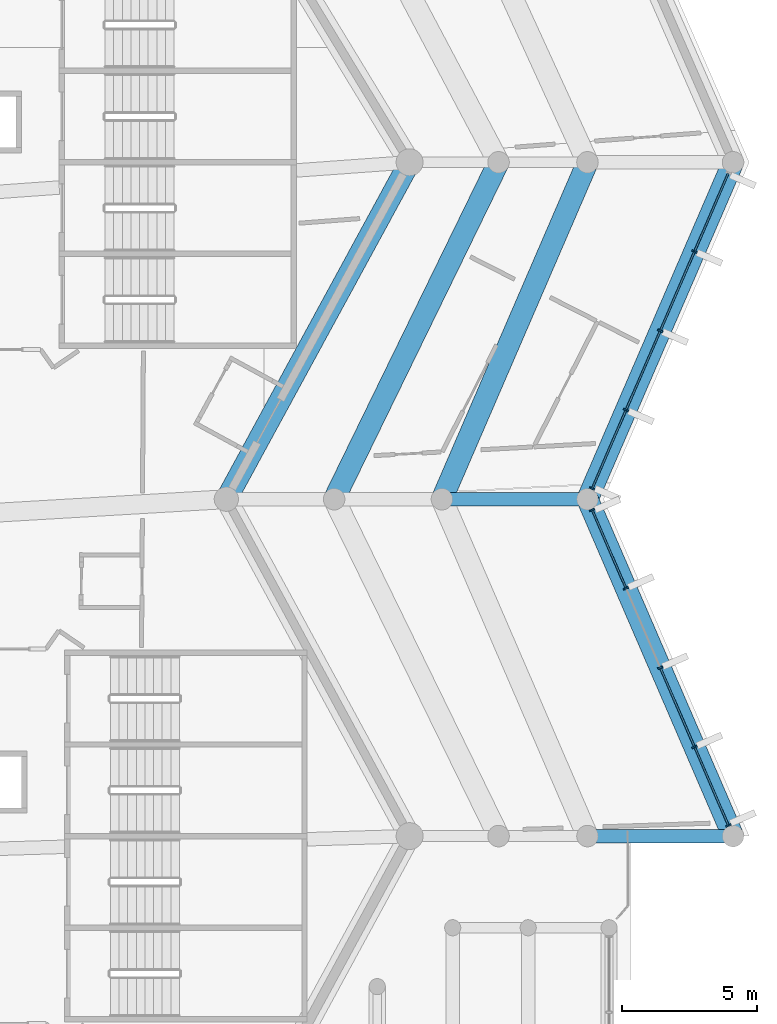
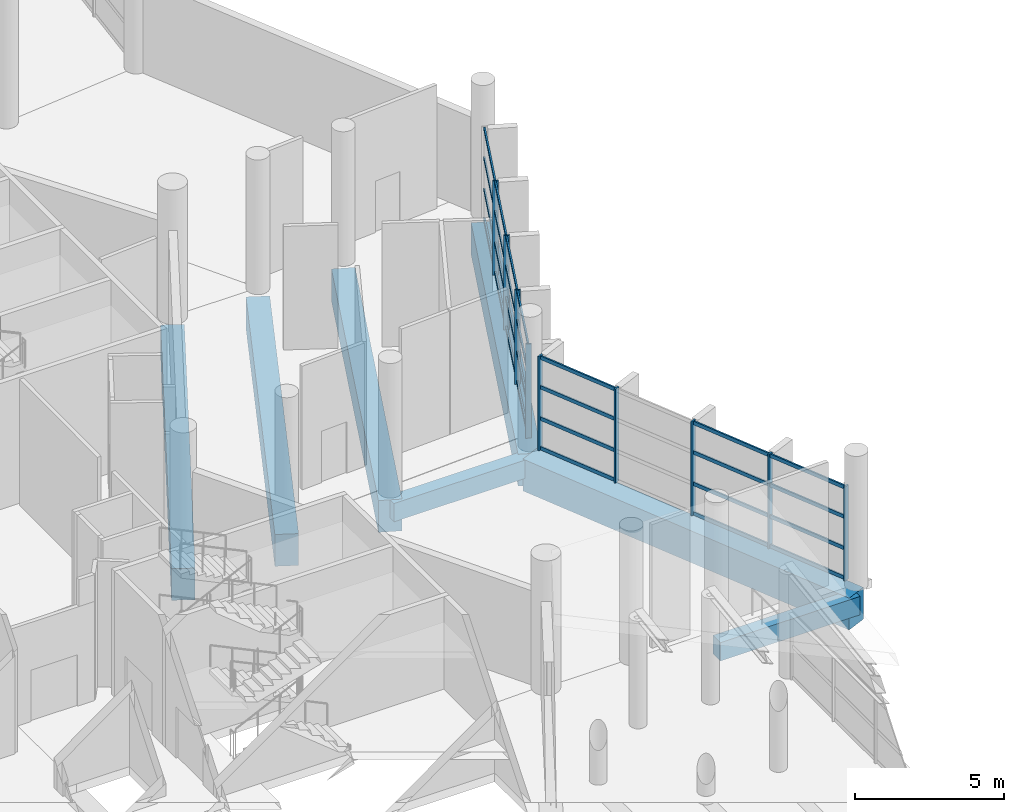
# One storey, part 99 of 271: 37 members, 7 beams, 2 elements without a shape of their own.
"""IFC4 building model written with IfcOpenShell, lengths in metres."""

from ifc_helpers import new_model, si_unit, direction, frame, origin, origin_2d, place, context, subcontext, project, spatial, rectangle, extrude, material, layer, layer_set, material_profile, profile_set, type_object, element, aggregate, save


model = new_model("IFC4")

# Units and contexts
model_context = context("Model", 3, precision=1e-05, world=origin(), true_north=direction((0.0, 1.0)))
body_context = subcontext(model_context, "Body", "Model", "MODEL_VIEW")
ifc_project = project(units=[si_unit("LENGTHUNIT", "METRE"), si_unit("AREAUNIT", "SQUARE_METRE"), si_unit("VOLUMEUNIT", "CUBIC_METRE"), si_unit("PLANEANGLEUNIT", "RADIAN"), si_unit("MASSUNIT", "GRAM", prefix="KILO")], contexts=[model_context])

# Site, building, storey
site_placement = place(None, origin())
site = spatial("IfcSite", under=ifc_project, at=site_placement, CompositionType="ELEMENT")
building_placement = place(site_placement, origin())
building = spatial("IfcBuilding", under=site, at=building_placement, Name="Meseta Stadium", CompositionType="ELEMENT")
storey_placement = place(building_placement, frame((0.0, 0.0, 6.5)))
storey = spatial("IfcBuildingStorey", under=building, at=storey_placement, Name="L01", CompositionType="ELEMENT", Elevation=6.5)

# Beams
ifc_material_1 = material(Name="Concrete C40/50", Category="concrete")
ifc_material_profile_1 = material_profile(ifc_material_1, rectangle(XDim=0.5, YDim=0.75, at=origin_2d()), Name="RC 500x750")
ifc_profile_set_1 = profile_set([ifc_material_profile_1], Name="Concrete C40/50")
beam_type_1 = type_object("IfcBeamType", Name="RC beam 500x750", PredefinedType="BEAM", material=ifc_profile_set_1)
for number, where, z_axis, x_axis, name in (
    (1, (108.0, 18.75, -0.72509765625), (1.0, 0.0, 0.0), (0.0, 1.0, 0.0), "L01 radial beam frame 6 line Q to O"),
    (2, (102.60009765625, 31.25, -0.72509765625), (1.0, 0.0, 0.0), (0.0, 1.0, 0.0), "L01 radial beam frame 7 line Q to O"),
):
    element("IfcBeam", number, at=place(storey_placement, frame(where, z_axis=z_axis, x_axis=x_axis)), inside=storey, type_object=beam_type_1, Name=name, PredefinedType="BEAM", context=body_context, shape_type="SweptSolid", body=[
        extrude(rectangle(XDim=0.5, YDim=0.75, at=origin_2d()), origin(), (0.0, 0.0, 1.0), 5.39990234375),
    ])
ifc_material_2 = material(Name="Concrete C40/50", Category="concrete")
ifc_material_profile_2 = material_profile(ifc_material_2, rectangle(XDim=0.800048828125, YDim=1.300048828125, at=origin_2d()), Name="RC 800x1300")
ifc_profile_set_2 = profile_set([ifc_material_profile_2], Name="Concrete C40/50")
beam_type_2 = type_object("IfcBeamType", Name="RC beam 800x1300", PredefinedType="BEAM", material=ifc_profile_set_2)
beam_1_placement = place(storey_placement, frame((94.60009765625, 31.25, -1.0), z_axis=(0.47785649891, 0.878437912689, 0.0), x_axis=(-0.878437912689, 0.47785649891, 0.0)))
element("IfcBeam", 3, at=beam_1_placement, inside=storey, type_object=beam_type_2, Name="L01 ring beam frame 7 line R", PredefinedType="BEAM", context=body_context, shape_type="SweptSolid", body=[
    extrude(rectangle(XDim=0.800048828125, YDim=1.300048828125, at=origin_2d()), origin(), (0.0, 0.0, 1.0), 14.229736328125),
])
beam_2_placement = place(storey_placement, frame((113.39990234375, 18.75, -1.0), z_axis=(-0.396570645327, 0.918004206562, 0.0), x_axis=(-0.918004206562, -0.396570645327, 0.0)))
element("IfcBeam", 4, at=beam_2_placement, inside=storey, type_object=beam_type_2, Name="L01 ring beam frame 6 line O", PredefinedType="BEAM", context=body_context, shape_type="SweptSolid", body=[
    extrude(rectangle(XDim=0.800048828125, YDim=1.300048828125, at=origin_2d()), origin(), (0.0, 0.0, 1.0), 13.616455078125),
])
beam_3_placement = place(storey_placement, frame((98.60009765625, 31.25, -1.0), z_axis=(0.438556770405, 0.898703487882, 0.0), x_axis=(-0.898703487882, 0.438556770405, 0.0)))
element("IfcBeam", 5, at=beam_3_placement, inside=storey, type_object=beam_type_2, Name="L01 ring beam frame 7 line M", PredefinedType="BEAM", context=body_context, shape_type="SweptSolid", body=[
    extrude(rectangle(XDim=0.800048828125, YDim=1.300048828125, at=origin_2d()), origin(), (0.0, 0.0, 1.0), 13.908935546875),
])
for number, where, z_axis, x_axis, name in (
    (6, (102.60009765625, 31.25, -1.0), (0.396570645327, 0.918004206562, 0.0), (-0.918004206562, 0.396570645327, 0.0), "L01 ring beam frame 7 line Q"),
    (7, (108.0, 31.25, -1.0), (0.396570645327, 0.918004206562, 0.0), (-0.918004206562, 0.396570645327, 0.0), "L01 ring beam frame 7 line O"),
):
    element("IfcBeam", number, at=place(storey_placement, frame(where, z_axis=z_axis, x_axis=x_axis)), inside=storey, type_object=beam_type_2, Name=name, PredefinedType="BEAM", context=body_context, shape_type="SweptSolid", body=[
        extrude(rectangle(XDim=0.800048828125, YDim=1.300048828125, at=origin_2d()), origin(), (0.0, 0.0, 1.0), 13.616455078125),
    ])

# Curtain wall, members
ifc_material_3 = material(Name="Aluminium", Category="aluminium")
ifc_layer = layer(ifc_material_3, 0.199951171875)
ifc_layer_set = layer_set([ifc_layer], Name="Ring shopfront curtain wall")
curtain_wall_type = type_object("IfcCurtainWallType", Name="Ring shopfront curtain wall", PredefinedType="NOTDEFINED", material=ifc_layer_set)
curtain_wall_1_placement = place(storey_placement, origin())
curtain_wall_1 = element("IfcCurtainWall", 8, at=curtain_wall_1_placement, inside=storey, type_object=curtain_wall_type, Name="Ring glazing L01 F06", PredefinedType="NOTDEFINED")
ifc_material_4 = material(Name="Aluminium", Category="aluminium")
ifc_material_profile_3 = material_profile(ifc_material_4, rectangle(XDim=0.199951171875, YDim=0.06005859375, at=origin_2d()), Name="CW 200x60")
ifc_profile_set_3 = profile_set([ifc_material_profile_3], Name="Aluminium")
member_type_1 = type_object("IfcMemberType", Name="Ring CW mullion 60x200", PredefinedType="MULLION", material=ifc_profile_set_3)
member_1_placement = place(storey_placement, frame((113.2294921875, 19.144775390625, 0.0), z_axis=(0.0, 0.0, 1.0), x_axis=(-0.91799986854, -0.396580687073, 0.0)))
member_1 = element("IfcMember", 9, at=member_1_placement, type_object=member_type_1, Name="CWR1 mullion 1", PredefinedType="MULLION", context=body_context, shape_type="SweptSolid", body=[
    extrude(rectangle(XDim=0.199951171875, YDim=0.06005859375, at=origin_2d()), origin(), (0.0, 0.0, 1.0), 3.85009765625),
])
member_2_placement = place(storey_placement, frame((111.970703125, 22.05859375, 0.0), z_axis=(0.0, 0.0, 1.0), x_axis=(-0.91799986854, -0.396580687073, 0.0)))
member_2 = element("IfcMember", 10, at=member_2_placement, type_object=member_type_1, Name="CWR1 mullion 2", PredefinedType="MULLION", context=body_context, shape_type="SweptSolid", body=[
    extrude(rectangle(XDim=0.199951171875, YDim=0.06005859375, at=origin_2d()), origin(), (0.0, 0.0, 1.0), 3.85009765625),
])
member_3_placement = place(storey_placement, frame((110.699951171875, 25.0, 0.0), z_axis=(0.0, 0.0, 1.0), x_axis=(-0.91799986854, -0.396580687073, 0.0)))
member_3 = element("IfcMember", 11, at=member_3_placement, type_object=member_type_1, Name="CWR1 mullion 3", PredefinedType="MULLION", context=body_context, shape_type="SweptSolid", body=[
    extrude(rectangle(XDim=0.199951171875, YDim=0.06005859375, at=origin_2d()), origin(), (0.0, 0.0, 1.0), 3.85009765625),
])
member_4_placement = place(storey_placement, frame((109.42919921875, 27.94140625, 0.0), z_axis=(0.0, 0.0, 1.0), x_axis=(-0.91799986854, -0.396580687073, 0.0)))
member_4 = element("IfcMember", 12, at=member_4_placement, type_object=member_type_1, Name="CWR1 mullion 4", PredefinedType="MULLION", context=body_context, shape_type="SweptSolid", body=[
    extrude(rectangle(XDim=0.199951171875, YDim=0.06005859375, at=origin_2d()), origin(), (0.0, 0.0, 1.0), 3.85009765625),
])
member_5_placement = place(storey_placement, frame((108.17041015625, 30.855224609375, 0.0), z_axis=(0.0, 0.0, 1.0), x_axis=(-0.91799986854, -0.396580687073, 0.0)))
member_5 = element("IfcMember", 13, at=member_5_placement, type_object=member_type_1, Name="CWR1 mullion 5", PredefinedType="MULLION", context=body_context, shape_type="SweptSolid", body=[
    extrude(rectangle(XDim=0.199951171875, YDim=0.06005859375, at=origin_2d()), origin(), (0.0, 0.0, 1.0), 3.85009765625),
])

curtain_wall_2_placement = place(storey_placement, origin())
curtain_wall_2 = element("IfcCurtainWall", 14, at=curtain_wall_2_placement, inside=storey, type_object=curtain_wall_type, Name="Ring glazing L01 F07", PredefinedType="NOTDEFINED")
member_6_placement = place(storey_placement, frame((108.17041015625, 31.644775390625, 0.0), z_axis=(0.0, 0.0, 1.0), x_axis=(-0.91799986854, 0.396580687073, 0.0)))
member_6 = element("IfcMember", 15, at=member_6_placement, type_object=member_type_1, Name="CWR1 mullion 1", PredefinedType="MULLION", context=body_context, shape_type="SweptSolid", body=[
    extrude(rectangle(XDim=0.199951171875, YDim=0.06005859375, at=origin_2d()), origin(), (0.0, 0.0, 1.0), 3.85009765625),
])
member_7_placement = place(storey_placement, frame((109.42919921875, 34.55859375, 0.0), z_axis=(0.0, 0.0, 1.0), x_axis=(-0.91799986854, 0.396580687073, 0.0)))
member_7 = element("IfcMember", 16, at=member_7_placement, type_object=member_type_1, Name="CWR1 mullion 2", PredefinedType="MULLION", context=body_context, shape_type="SweptSolid", body=[
    extrude(rectangle(XDim=0.199951171875, YDim=0.06005859375, at=origin_2d()), origin(), (0.0, 0.0, 1.0), 3.85009765625),
])
member_8_placement = place(storey_placement, frame((110.699951171875, 37.5, 0.0), z_axis=(0.0, 0.0, 1.0), x_axis=(-0.91799986854, 0.396580687073, 0.0)))
member_8 = element("IfcMember", 17, at=member_8_placement, type_object=member_type_1, Name="CWR1 mullion 3", PredefinedType="MULLION", context=body_context, shape_type="SweptSolid", body=[
    extrude(rectangle(XDim=0.199951171875, YDim=0.06005859375, at=origin_2d()), origin(), (0.0, 0.0, 1.0), 3.85009765625),
])
member_9_placement = place(storey_placement, frame((111.970703125, 40.44140625, 0.0), z_axis=(0.0, 0.0, 1.0), x_axis=(-0.91799986854, 0.396580687073, 0.0)))
member_9 = element("IfcMember", 18, at=member_9_placement, type_object=member_type_1, Name="CWR1 mullion 4", PredefinedType="MULLION", context=body_context, shape_type="SweptSolid", body=[
    extrude(rectangle(XDim=0.199951171875, YDim=0.06005859375, at=origin_2d()), origin(), (0.0, 0.0, 1.0), 3.85009765625),
])

# Member
ifc_material_5 = material(Name="Aluminium", Category="aluminium")
ifc_material_profile_4 = material_profile(ifc_material_5, rectangle(XDim=0.06005859375, YDim=0.14990234375, at=origin_2d()), Name="CW 60x150")
ifc_profile_set_4 = profile_set([ifc_material_profile_4], Name="Aluminium")
member_type_2 = type_object("IfcMemberType", Name="Ring CW transom 60x150", PredefinedType="USERDEFINED", material=ifc_profile_set_4)
member_10_placement = place(storey_placement, frame((113.217529296875, 19.17236328125, 0.074951171875), z_axis=(-0.396557660608, 0.91800981575, 0.0), x_axis=(-0.91800981575, -0.396557660608, 0.0)))
member_10 = element("IfcMember", 19, at=member_10_placement, type_object=member_type_2, Name="CWR1 transom 1.1", ObjectType="TRANSOM", PredefinedType="USERDEFINED", context=body_context, shape_type="SweptSolid", body=[
    extrude(rectangle(XDim=0.06005859375, YDim=0.14990234375, at=origin_2d()), origin(), (0.0, 0.0, 1.0), 3.114013671875),
])

member_11_placement = place(storey_placement, frame((113.217529296875, 19.17236328125, 1.283447265625), z_axis=(-0.396557660608, 0.91800981575, 0.0), x_axis=(-0.91800981575, -0.396557660608, 0.0)))
member_11 = element("IfcMember", 20, at=member_11_placement, type_object=member_type_2, Name="CWR1 transom 1.2", ObjectType="TRANSOM", PredefinedType="USERDEFINED", context=body_context, shape_type="SweptSolid", body=[
    extrude(rectangle(XDim=0.06005859375, YDim=0.14990234375, at=origin_2d()), origin(), (0.0, 0.0, 1.0), 3.114013671875),
])

member_12_placement = place(storey_placement, frame((113.217529296875, 19.17236328125, 2.566650390625), z_axis=(-0.396557660608, 0.91800981575, 0.0), x_axis=(-0.91800981575, -0.396557660608, 0.0)))
member_12 = element("IfcMember", 21, at=member_12_placement, type_object=member_type_2, Name="CWR1 transom 1.3", ObjectType="TRANSOM", PredefinedType="USERDEFINED", context=body_context, shape_type="SweptSolid", body=[
    extrude(rectangle(XDim=0.06005859375, YDim=0.14990234375, at=origin_2d()), origin(), (0.0, 0.0, 1.0), 3.114013671875),
])

member_13_placement = place(storey_placement, frame((113.217529296875, 19.17236328125, 3.77490234375), z_axis=(-0.396557660608, 0.91800981575, 0.0), x_axis=(-0.91800981575, -0.396557660608, 0.0)))
member_13 = element("IfcMember", 22, at=member_13_placement, type_object=member_type_2, Name="CWR1 transom 1.4", ObjectType="TRANSOM", PredefinedType="USERDEFINED", context=body_context, shape_type="SweptSolid", body=[
    extrude(rectangle(XDim=0.06005859375, YDim=0.14990234375, at=origin_2d()), origin(), (0.0, 0.0, 1.0), 3.114013671875),
])

member_14_placement = place(storey_placement, frame((111.958740234375, 22.086181640625, 0.074951171875), z_axis=(-0.396569883564, 0.918004535637, 0.0), x_axis=(-0.918004535637, -0.396569883564, 0.0)))
member_14 = element("IfcMember", 23, at=member_14_placement, type_object=member_type_2, Name="CWR1 transom 2.1", ObjectType="TRANSOM", PredefinedType="USERDEFINED", context=body_context, shape_type="SweptSolid", body=[
    extrude(rectangle(XDim=0.06005859375, YDim=0.14990234375, at=origin_2d()), origin(), (0.0, 0.0, 1.0), 3.14404296875),
])

member_15_placement = place(storey_placement, frame((111.958740234375, 22.086181640625, 1.283447265625), z_axis=(-0.396569883564, 0.918004535637, 0.0), x_axis=(-0.918004535637, -0.396569883564, 0.0)))
member_15 = element("IfcMember", 24, at=member_15_placement, type_object=member_type_2, Name="CWR1 transom 2.2", ObjectType="TRANSOM", PredefinedType="USERDEFINED", context=body_context, shape_type="SweptSolid", body=[
    extrude(rectangle(XDim=0.06005859375, YDim=0.14990234375, at=origin_2d()), origin(), (0.0, 0.0, 1.0), 3.14404296875),
])

member_16_placement = place(storey_placement, frame((111.958740234375, 22.086181640625, 2.566650390625), z_axis=(-0.396569883564, 0.918004535637, 0.0), x_axis=(-0.918004535637, -0.396569883564, 0.0)))
member_16 = element("IfcMember", 25, at=member_16_placement, type_object=member_type_2, Name="CWR1 transom 2.3", ObjectType="TRANSOM", PredefinedType="USERDEFINED", context=body_context, shape_type="SweptSolid", body=[
    extrude(rectangle(XDim=0.06005859375, YDim=0.14990234375, at=origin_2d()), origin(), (0.0, 0.0, 1.0), 3.14404296875),
])

member_17_placement = place(storey_placement, frame((111.958740234375, 22.086181640625, 3.77490234375), z_axis=(-0.396569883564, 0.918004535637, 0.0), x_axis=(-0.918004535637, -0.396569883564, 0.0)))
member_17 = element("IfcMember", 26, at=member_17_placement, type_object=member_type_2, Name="CWR1 transom 2.4", ObjectType="TRANSOM", PredefinedType="USERDEFINED", context=body_context, shape_type="SweptSolid", body=[
    extrude(rectangle(XDim=0.06005859375, YDim=0.14990234375, at=origin_2d()), origin(), (0.0, 0.0, 1.0), 3.14404296875),
])

member_18_placement = place(storey_placement, frame((109.41748046875, 27.968994140625, 0.074951171875), z_axis=(-0.396623730244, 0.917981272471, 0.0), x_axis=(-0.917981272471, -0.396623730244, 0.0)))
member_18 = element("IfcMember", 27, at=member_18_placement, type_object=member_type_2, Name="CWR1 transom 4.1", ObjectType="TRANSOM", PredefinedType="USERDEFINED", context=body_context, shape_type="SweptSolid", body=[
    extrude(rectangle(XDim=0.06005859375, YDim=0.14990234375, at=origin_2d()), origin(), (0.0, 0.0, 1.0), 3.114013671875),
])

member_19_placement = place(storey_placement, frame((109.41748046875, 27.968994140625, 1.283447265625), z_axis=(-0.396623730244, 0.917981272471, 0.0), x_axis=(-0.917981272471, -0.396623730244, 0.0)))
member_19 = element("IfcMember", 28, at=member_19_placement, type_object=member_type_2, Name="CWR1 transom 4.2", ObjectType="TRANSOM", PredefinedType="USERDEFINED", context=body_context, shape_type="SweptSolid", body=[
    extrude(rectangle(XDim=0.06005859375, YDim=0.14990234375, at=origin_2d()), origin(), (0.0, 0.0, 1.0), 3.114013671875),
])

member_20_placement = place(storey_placement, frame((109.41748046875, 27.968994140625, 2.566650390625), z_axis=(-0.396623730244, 0.917981272471, 0.0), x_axis=(-0.917981272471, -0.396623730244, 0.0)))
member_20 = element("IfcMember", 29, at=member_20_placement, type_object=member_type_2, Name="CWR1 transom 4.3", ObjectType="TRANSOM", PredefinedType="USERDEFINED", context=body_context, shape_type="SweptSolid", body=[
    extrude(rectangle(XDim=0.06005859375, YDim=0.14990234375, at=origin_2d()), origin(), (0.0, 0.0, 1.0), 3.114013671875),
])

member_21_placement = place(storey_placement, frame((109.41748046875, 27.968994140625, 3.77490234375), z_axis=(-0.396623730244, 0.917981272471, 0.0), x_axis=(-0.917981272471, -0.396623730244, 0.0)))
member_21 = element("IfcMember", 30, at=member_21_placement, type_object=member_type_2, Name="CWR1 transom 4.4", ObjectType="TRANSOM", PredefinedType="USERDEFINED", context=body_context, shape_type="SweptSolid", body=[
    extrude(rectangle(XDim=0.06005859375, YDim=0.14990234375, at=origin_2d()), origin(), (0.0, 0.0, 1.0), 3.114013671875),
])

aggregate(curtain_wall_1, [member_1, member_2, member_3, member_4, member_5, member_10, member_11, member_12, member_13, member_14, member_15, member_16, member_17, member_18, member_19, member_20, member_21])

member_22_placement = place(storey_placement, frame((108.182373046875, 31.67236328125, 0.074951171875), z_axis=(0.396623730244, 0.917981272471, 0.0), x_axis=(-0.917981272471, 0.396623730244, 0.0)))
member_22 = element("IfcMember", 31, at=member_22_placement, type_object=member_type_2, Name="CWR1 transom 1.1", ObjectType="TRANSOM", PredefinedType="USERDEFINED", context=body_context, shape_type="SweptSolid", body=[
    extrude(rectangle(XDim=0.06005859375, YDim=0.14990234375, at=origin_2d()), origin(), (0.0, 0.0, 1.0), 3.114013671875),
])

member_23_placement = place(storey_placement, frame((108.182373046875, 31.67236328125, 1.283447265625), z_axis=(0.396623730244, 0.917981272471, 0.0), x_axis=(-0.917981272471, 0.396623730244, 0.0)))
member_23 = element("IfcMember", 32, at=member_23_placement, type_object=member_type_2, Name="CWR1 transom 1.2", ObjectType="TRANSOM", PredefinedType="USERDEFINED", context=body_context, shape_type="SweptSolid", body=[
    extrude(rectangle(XDim=0.06005859375, YDim=0.14990234375, at=origin_2d()), origin(), (0.0, 0.0, 1.0), 3.114013671875),
])

member_24_placement = place(storey_placement, frame((108.182373046875, 31.67236328125, 2.566650390625), z_axis=(0.396623730244, 0.917981272471, 0.0), x_axis=(-0.917981272471, 0.396623730244, 0.0)))
member_24 = element("IfcMember", 33, at=member_24_placement, type_object=member_type_2, Name="CWR1 transom 1.3", ObjectType="TRANSOM", PredefinedType="USERDEFINED", context=body_context, shape_type="SweptSolid", body=[
    extrude(rectangle(XDim=0.06005859375, YDim=0.14990234375, at=origin_2d()), origin(), (0.0, 0.0, 1.0), 3.114013671875),
])

member_25_placement = place(storey_placement, frame((108.182373046875, 31.67236328125, 3.77490234375), z_axis=(0.396623730244, 0.917981272471, 0.0), x_axis=(-0.917981272471, 0.396623730244, 0.0)))
member_25 = element("IfcMember", 34, at=member_25_placement, type_object=member_type_2, Name="CWR1 transom 1.4", ObjectType="TRANSOM", PredefinedType="USERDEFINED", context=body_context, shape_type="SweptSolid", body=[
    extrude(rectangle(XDim=0.06005859375, YDim=0.14990234375, at=origin_2d()), origin(), (0.0, 0.0, 1.0), 3.114013671875),
])

member_26_placement = place(storey_placement, frame((109.441162109375, 34.586181640625, 0.074951171875), z_axis=(0.396569883564, 0.918004535637, 0.0), x_axis=(-0.918004535637, 0.396569883564, 0.0)))
member_26 = element("IfcMember", 35, at=member_26_placement, type_object=member_type_2, Name="CWR1 transom 2.1", ObjectType="TRANSOM", PredefinedType="USERDEFINED", context=body_context, shape_type="SweptSolid", body=[
    extrude(rectangle(XDim=0.06005859375, YDim=0.14990234375, at=origin_2d()), origin(), (0.0, 0.0, 1.0), 3.14404296875),
])

member_27_placement = place(storey_placement, frame((109.441162109375, 34.586181640625, 1.283447265625), z_axis=(0.396569883564, 0.918004535637, 0.0), x_axis=(-0.918004535637, 0.396569883564, 0.0)))
member_27 = element("IfcMember", 36, at=member_27_placement, type_object=member_type_2, Name="CWR1 transom 2.2", ObjectType="TRANSOM", PredefinedType="USERDEFINED", context=body_context, shape_type="SweptSolid", body=[
    extrude(rectangle(XDim=0.06005859375, YDim=0.14990234375, at=origin_2d()), origin(), (0.0, 0.0, 1.0), 3.14404296875),
])

member_28_placement = place(storey_placement, frame((109.441162109375, 34.586181640625, 2.566650390625), z_axis=(0.396569883564, 0.918004535637, 0.0), x_axis=(-0.918004535637, 0.396569883564, 0.0)))
member_28 = element("IfcMember", 37, at=member_28_placement, type_object=member_type_2, Name="CWR1 transom 2.3", ObjectType="TRANSOM", PredefinedType="USERDEFINED", context=body_context, shape_type="SweptSolid", body=[
    extrude(rectangle(XDim=0.06005859375, YDim=0.14990234375, at=origin_2d()), origin(), (0.0, 0.0, 1.0), 3.14404296875),
])

member_29_placement = place(storey_placement, frame((109.441162109375, 34.586181640625, 3.77490234375), z_axis=(0.396569883564, 0.918004535637, 0.0), x_axis=(-0.918004535637, 0.396569883564, 0.0)))
member_29 = element("IfcMember", 38, at=member_29_placement, type_object=member_type_2, Name="CWR1 transom 2.4", ObjectType="TRANSOM", PredefinedType="USERDEFINED", context=body_context, shape_type="SweptSolid", body=[
    extrude(rectangle(XDim=0.06005859375, YDim=0.14990234375, at=origin_2d()), origin(), (0.0, 0.0, 1.0), 3.14404296875),
])

member_30_placement = place(storey_placement, frame((110.7119140625, 37.527587890625, 0.074951171875), z_axis=(0.396569883564, 0.918004535637, 0.0), x_axis=(-0.918004535637, 0.396569883564, 0.0)))
member_30 = element("IfcMember", 39, at=member_30_placement, type_object=member_type_2, Name="CWR1 transom 3.1", ObjectType="TRANSOM", PredefinedType="USERDEFINED", context=body_context, shape_type="SweptSolid", body=[
    extrude(rectangle(XDim=0.06005859375, YDim=0.14990234375, at=origin_2d()), origin(), (0.0, 0.0, 1.0), 3.14404296875),
])

member_31_placement = place(storey_placement, frame((110.7119140625, 37.527587890625, 1.283447265625), z_axis=(0.396569883564, 0.918004535637, 0.0), x_axis=(-0.918004535637, 0.396569883564, 0.0)))
member_31 = element("IfcMember", 40, at=member_31_placement, type_object=member_type_2, Name="CWR1 transom 3.2", ObjectType="TRANSOM", PredefinedType="USERDEFINED", context=body_context, shape_type="SweptSolid", body=[
    extrude(rectangle(XDim=0.06005859375, YDim=0.14990234375, at=origin_2d()), origin(), (0.0, 0.0, 1.0), 3.14404296875),
])

member_32_placement = place(storey_placement, frame((110.7119140625, 37.527587890625, 2.566650390625), z_axis=(0.396569883564, 0.918004535637, 0.0), x_axis=(-0.918004535637, 0.396569883564, 0.0)))
member_32 = element("IfcMember", 41, at=member_32_placement, type_object=member_type_2, Name="CWR1 transom 3.3", ObjectType="TRANSOM", PredefinedType="USERDEFINED", context=body_context, shape_type="SweptSolid", body=[
    extrude(rectangle(XDim=0.06005859375, YDim=0.14990234375, at=origin_2d()), origin(), (0.0, 0.0, 1.0), 3.14404296875),
])

member_33_placement = place(storey_placement, frame((110.7119140625, 37.527587890625, 3.77490234375), z_axis=(0.396569883564, 0.918004535637, 0.0), x_axis=(-0.918004535637, 0.396569883564, 0.0)))
member_33 = element("IfcMember", 42, at=member_33_placement, type_object=member_type_2, Name="CWR1 transom 3.4", ObjectType="TRANSOM", PredefinedType="USERDEFINED", context=body_context, shape_type="SweptSolid", body=[
    extrude(rectangle(XDim=0.06005859375, YDim=0.14990234375, at=origin_2d()), origin(), (0.0, 0.0, 1.0), 3.14404296875),
])

member_34_placement = place(storey_placement, frame((111.982666015625, 40.468994140625, 0.074951171875), z_axis=(0.396557660608, 0.91800981575, 0.0), x_axis=(-0.91800981575, 0.396557660608, 0.0)))
member_34 = element("IfcMember", 43, at=member_34_placement, type_object=member_type_2, Name="CWR1 transom 4.1", ObjectType="TRANSOM", PredefinedType="USERDEFINED", context=body_context, shape_type="SweptSolid", body=[
    extrude(rectangle(XDim=0.06005859375, YDim=0.14990234375, at=origin_2d()), origin(), (0.0, 0.0, 1.0), 3.114013671875),
])

member_35_placement = place(storey_placement, frame((111.982666015625, 40.468994140625, 1.283447265625), z_axis=(0.396557660608, 0.91800981575, 0.0), x_axis=(-0.91800981575, 0.396557660608, 0.0)))
member_35 = element("IfcMember", 44, at=member_35_placement, type_object=member_type_2, Name="CWR1 transom 4.2", ObjectType="TRANSOM", PredefinedType="USERDEFINED", context=body_context, shape_type="SweptSolid", body=[
    extrude(rectangle(XDim=0.06005859375, YDim=0.14990234375, at=origin_2d()), origin(), (0.0, 0.0, 1.0), 3.114013671875),
])

member_36_placement = place(storey_placement, frame((111.982666015625, 40.468994140625, 2.566650390625), z_axis=(0.396557660608, 0.91800981575, 0.0), x_axis=(-0.91800981575, 0.396557660608, 0.0)))
member_36 = element("IfcMember", 45, at=member_36_placement, type_object=member_type_2, Name="CWR1 transom 4.3", ObjectType="TRANSOM", PredefinedType="USERDEFINED", context=body_context, shape_type="SweptSolid", body=[
    extrude(rectangle(XDim=0.06005859375, YDim=0.14990234375, at=origin_2d()), origin(), (0.0, 0.0, 1.0), 3.114013671875),
])

member_37_placement = place(storey_placement, frame((111.982666015625, 40.468994140625, 3.77490234375), z_axis=(0.396557660608, 0.91800981575, 0.0), x_axis=(-0.91800981575, 0.396557660608, 0.0)))
member_37 = element("IfcMember", 46, at=member_37_placement, type_object=member_type_2, Name="CWR1 transom 4.4", ObjectType="TRANSOM", PredefinedType="USERDEFINED", context=body_context, shape_type="SweptSolid", body=[
    extrude(rectangle(XDim=0.06005859375, YDim=0.14990234375, at=origin_2d()), origin(), (0.0, 0.0, 1.0), 3.114013671875),
])

aggregate(curtain_wall_2, [member_6, member_7, member_8, member_9, member_22, member_23, member_24, member_25, member_26, member_27, member_28, member_29, member_30, member_31, member_32, member_33, member_34, member_35, member_36, member_37])

save(model, "model.ifc")
